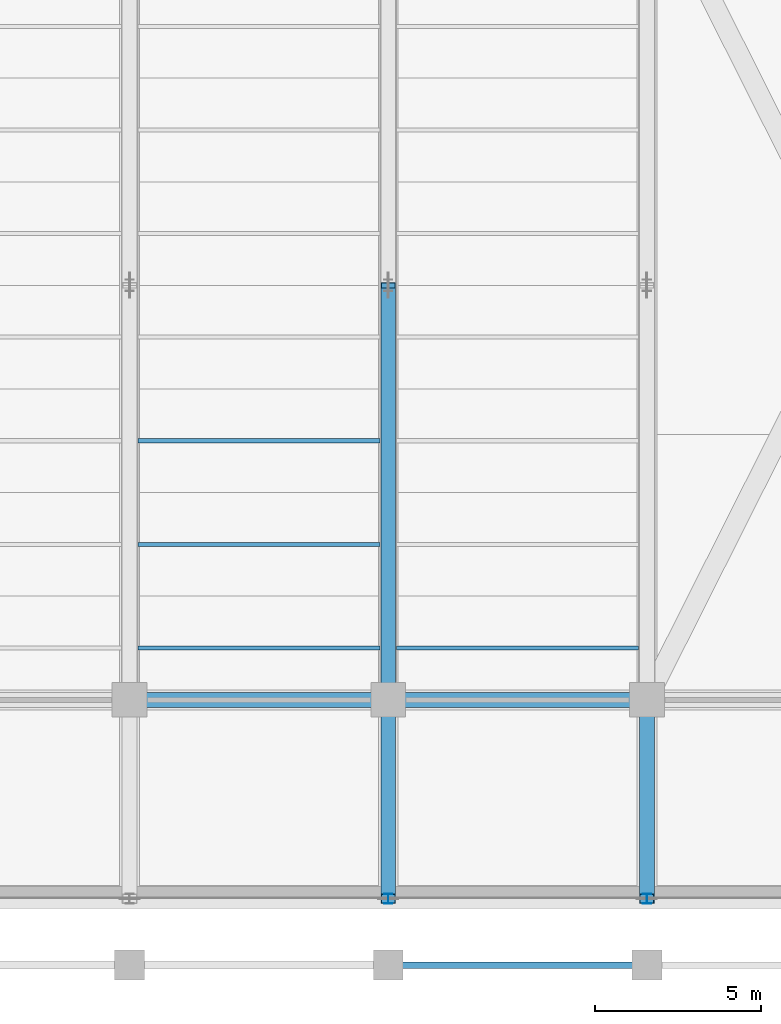
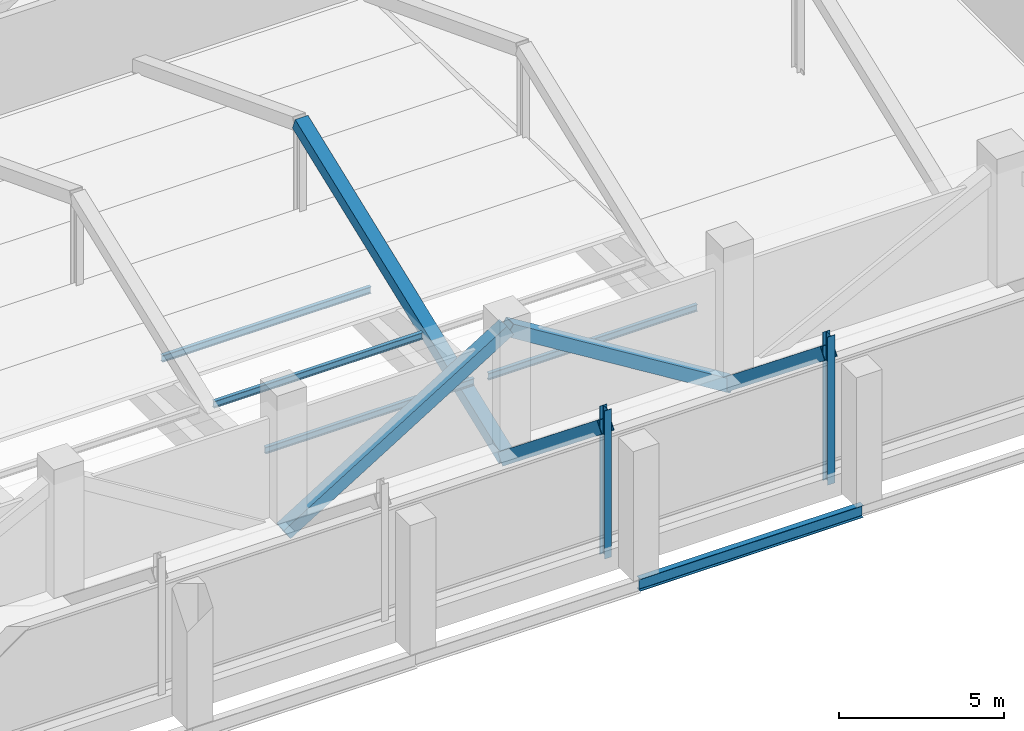
# One storey, part 42 of 127: 7 members, 5 beams.
"""IFC4 building model written with IfcOpenShell, lengths in metres."""

from ifc_helpers import new_model, si_unit, derived_unit, direction, frame, origin, origin_2d, place, context, subcontext, project, spatial, hollow_rectangle, i_section, extrude, material, material_profile, profile_set, type_object, element, save


model = new_model("IFC4")

# Units and contexts
model_context = context("Model", 3, precision=1e-05, world=origin(), true_north=direction((0.0, 1.0)))
body_context = subcontext(model_context, "Body", "Model", "MODEL_VIEW")
ifc_project = project(units=[si_unit("LENGTHUNIT", "METRE"), si_unit("AREAUNIT", "SQUARE_METRE"), si_unit("VOLUMEUNIT", "CUBIC_METRE"), si_unit("PLANEANGLEUNIT", "RADIAN"), si_unit("MASSUNIT", "GRAM", prefix="KILO"), derived_unit("THERMALTRANSMITTANCEUNIT", [(si_unit("POWERUNIT", "WATT"), 1), (si_unit("LENGTHUNIT", "METRE"), -2), (si_unit("THERMODYNAMICTEMPERATUREUNIT", "KELVIN"), -1)])], contexts=[model_context])

# Site, building, storey
site_placement = place(None, origin())
site = spatial("IfcSite", under=ifc_project, at=site_placement, CompositionType="ELEMENT")
building_placement = place(site_placement, origin())
building = spatial("IfcBuilding", under=site, at=building_placement, Name="Nallur Shell Playhouse", CompositionType="ELEMENT")
storey_placement = place(building_placement, frame((0.0, 0.0, 5.39990234375)))
storey = spatial("IfcBuildingStorey", under=building, at=storey_placement, Name="L02", CompositionType="ELEMENT", Elevation=5.39990234375)

# Beams
ifc_material_1 = material(Name="Steel E250", Category="steel")
ifc_material_profile_1 = material_profile(ifc_material_1, i_section(OverallWidth=0.125, OverallDepth=0.25, WebThickness=0.0068359375, FlangeThickness=0.012451171875, FilletRadius=0.012939453125, at=origin_2d()), Name="ISMB 250")
ifc_profile_set_1 = profile_set([ifc_material_profile_1], Name="Steel E250")
beam_type_1 = type_object("IfcBeamType", Name="BM-JST-ISMB250", PredefinedType="JOIST", material=ifc_profile_set_1)
for number, where, z_axis, x_axis, name in (
    (1, (87.64794921875, 23.8125, 0.885009765625), (1.0, 0.0, 0.0), (0.0, 1.0, 0.0), "Seating tier step bearer STALLS row 6 (87.4-95.2)"),
    (2, (87.64794921875, 20.6875, 1.085205078125), (1.0, 0.0, 0.0), (0.0, 1.0, 0.0), "Seating tier step bearer STALLS row 7 (87.4-95.2)"),
    (3, (87.64794921875, 17.5625, 1.28515625), (1.0, 0.0, 0.0), (0.0, 1.0, 0.0), "Seating tier step bearer STALLS row 8 (87.4-95.2)"),
    (4, (95.447998046875, 17.5625, 1.28515625), (1.0, 0.0, 0.0), (0.0, 1.0, 0.0), "Seating tier step bearer STALLS row 8 (95.2-103.0)"),
):
    element("IfcBeam", number, at=place(storey_placement, frame(where, z_axis=z_axis, x_axis=x_axis)), inside=storey, type_object=beam_type_1, Name=name, PredefinedType="JOIST", context=body_context, shape_type="SweptSolid", body=[
        extrude(i_section(OverallWidth=0.125, OverallDepth=0.25, WebThickness=0.0068359375, FlangeThickness=0.012451171875, FilletRadius=0.012939453125, at=origin_2d()), origin(), (0.0, 0.0, 1.0), 7.303955078125),
    ])
ifc_material_2 = material(Name="Steel E350", Category="steel")
ifc_material_profile_2 = material_profile(ifc_material_2, i_section(OverallWidth=0.199951171875, OverallDepth=0.449951171875, WebThickness=0.00927734375, FlangeThickness=0.015380859375, FilletRadius=0.013916015625, at=origin_2d()), Name="ISWB 450")
ifc_profile_set_2 = profile_set([ifc_material_profile_2], Name="Steel E350")
beam_type_2 = type_object("IfcBeamType", Name="BM-ST-ISWB450", PredefinedType="BEAM", material=ifc_profile_set_2)
beam_placement = place(storey_placement, frame((95.199951171875, 8.0, -0.5048828125), z_axis=(1.0, 0.0, 0.0), x_axis=(0.0, 1.0, 0.0)))
element("IfcBeam", 5, at=beam_placement, inside=storey, type_object=beam_type_2, Name="L02 girder X-A-324", PredefinedType="BEAM", context=body_context, shape_type="SweptSolid", body=[
    extrude(i_section(OverallWidth=0.199951171875, OverallDepth=0.449951171875, WebThickness=0.00927734375, FlangeThickness=0.015380859375, FilletRadius=0.013916015625, at=origin_2d()), origin(), (0.0, 0.0, 1.0), 7.800048828125),
])

# Members
ifc_material_profile_3 = material_profile(ifc_material_2, i_section(OverallWidth=0.25, OverallDepth=0.300048828125, WebThickness=0.009521484375, FlangeThickness=0.010498046875, FilletRadius=0.010986328125, at=origin_2d()), Name="ISHB 300")
ifc_profile_set_3 = profile_set([ifc_material_profile_3], Name="Steel E350")
member_type_1 = type_object("IfcMemberType", Name="MB-FASCIA-POST", PredefinedType="POST", material=ifc_profile_set_3)
for number, where, z_axis, x_axis, name in (
    (6, (95.199951171875, 10.0, -0.679931640625), (0.0, 0.0, 1.0), (1.0, 0.0, 0.0), "Cantilever truss fascia post POST-GB-L02-05"),
    (7, (103.0, 10.0, -0.679931640625), (0.0, 0.0, 1.0), (1.0, 0.0, 0.0), "Cantilever truss fascia post POST-GB-L02-06"),
):
    element("IfcMember", number, at=place(storey_placement, frame(where, z_axis=z_axis, x_axis=x_axis)), inside=storey, type_object=member_type_1, Name=name, PredefinedType="POST", context=body_context, shape_type="SweptSolid", body=[
        extrude(i_section(OverallWidth=0.25, OverallDepth=0.300048828125, WebThickness=0.009521484375, FlangeThickness=0.010498046875, FilletRadius=0.010986328125, at=origin_2d()), origin(), (0.0, 0.0, 1.0), 5.47998046875),
    ])
ifc_material_profile_4 = material_profile(ifc_material_2, hollow_rectangle(XDim=0.449951171875, YDim=0.449951171875, WallThickness=0.02001953125, at=origin_2d()), Name="BOX 450x450x20")
ifc_profile_set_4 = profile_set([ifc_material_profile_4], Name="Steel E350")
member_type_2 = type_object("IfcMemberType", Name="MB-TT-DIAG", PredefinedType="BRACE", material=ifc_profile_set_4)
for number, where, z_axis, x_axis, name in (
    (8, (87.39990234375, 16.0, -0.679931640625), (0.850681384547, 0.0, 0.525681635579), (0.0, 1.0, 0.0), "Transfer truss TT-1 diagonal 4"),
    (9, (95.199951171875, 16.0, 4.14013671875), (0.850681384547, 0.0, -0.525681635579), (0.0, 1.0, 0.0), "Transfer truss TT-1 diagonal 5"),
):
    element("IfcMember", number, at=place(storey_placement, frame(where, z_axis=z_axis, x_axis=x_axis)), inside=storey, type_object=member_type_2, Name=name, PredefinedType="BRACE", context=body_context, shape_type="SweptSolid", body=[
        extrude(hollow_rectangle(XDim=0.449951171875, YDim=0.449951171875, WallThickness=0.02001953125, at=origin_2d()), origin(), (0.0, 0.0, 1.0), 9.169189453125),
    ])
member_1_placement = place(storey_placement, frame((95.199951171875, 10.0, 4.14013671875), z_axis=(0.0, 0.779595223506, -0.626283711657), x_axis=(-1.0, 0.0, 0.0)))
element("IfcMember", 10, at=member_1_placement, inside=storey, type_object=member_type_2, Name="Transfer truss TT-6 diagonal 1", PredefinedType="BRACE", context=body_context, shape_type="SweptSolid", body=[
    extrude(hollow_rectangle(XDim=0.449951171875, YDim=0.449951171875, WallThickness=0.02001953125, at=origin_2d()), origin(), (0.0, 0.0, 1.0), 7.6962890625),
])
member_2_placement = place(storey_placement, frame((95.199951171875, 16.0, -0.679931640625), z_axis=(0.0, 0.933035744056, 0.359783685447), x_axis=(-1.0, 0.0, 0.0)))
element("IfcMember", 11, at=member_2_placement, inside=storey, type_object=member_type_2, Name="Transfer truss TT-6 diagonal 2", PredefinedType="BRACE", context=body_context, shape_type="SweptSolid", body=[
    extrude(hollow_rectangle(XDim=0.449951171875, YDim=0.449951171875, WallThickness=0.02001953125, at=origin_2d()), origin(), (0.0, 0.0, 1.0), 13.397216796875),
])
member_3_placement = place(storey_placement, frame((103.0, 10.0, 4.14013671875), z_axis=(0.0, 0.779595223506, -0.626283711657), x_axis=(-1.0, 0.0, 0.0)))
element("IfcMember", 12, at=member_3_placement, inside=storey, type_object=member_type_2, Name="Transfer truss TT-7 diagonal 1", PredefinedType="BRACE", context=body_context, shape_type="SweptSolid", body=[
    extrude(hollow_rectangle(XDim=0.449951171875, YDim=0.449951171875, WallThickness=0.02001953125, at=origin_2d()), origin(), (0.0, 0.0, 1.0), 7.6962890625),
])

save(model, "model.ifc")
